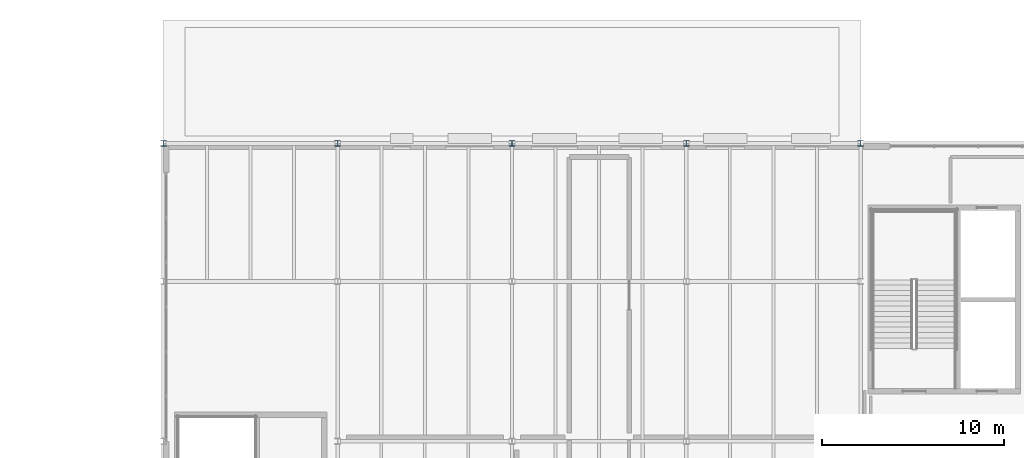
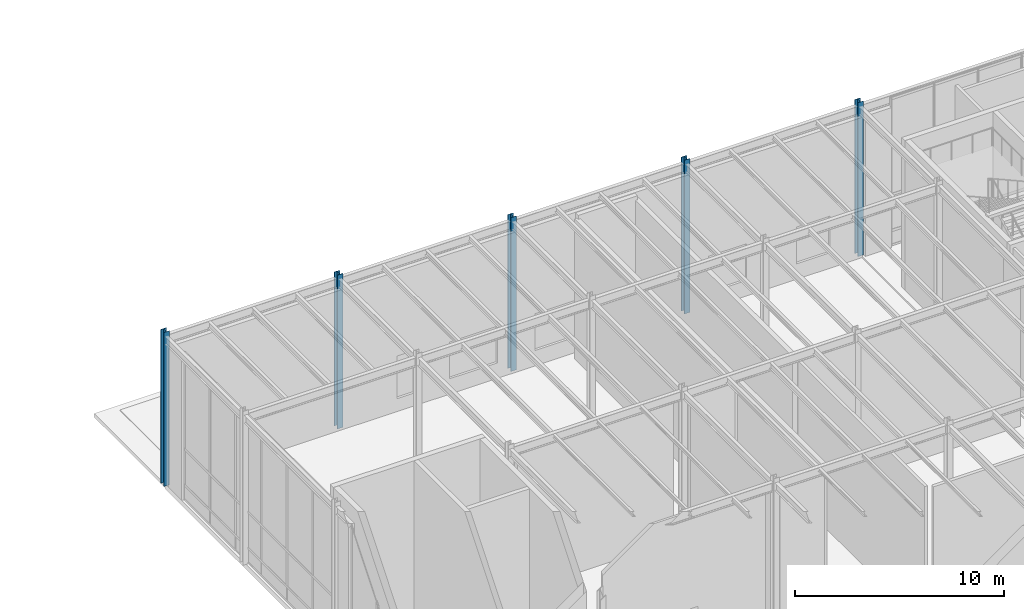
# One storey, part 6 of 48: 5 columns.
"""IFC4 building model written with IfcOpenShell, lengths in metres."""

from ifc_helpers import new_model, si_unit, direction, frame, origin, origin_2d, place, context, subcontext, project, spatial, i_section, extrude, material, material_profile, profile_set, type_object, element, save


model = new_model("IFC4")

# Units and contexts
model_context = context("Model", 3, precision=1e-05, world=origin(), true_north=direction((0.0, 1.0)))
body_context = subcontext(model_context, "Body", "Model", "MODEL_VIEW")
ifc_project = project(units=[si_unit("LENGTHUNIT", "METRE"), si_unit("AREAUNIT", "SQUARE_METRE"), si_unit("VOLUMEUNIT", "CUBIC_METRE"), si_unit("PLANEANGLEUNIT", "RADIAN"), si_unit("MASSUNIT", "GRAM", prefix="KILO")], contexts=[model_context])

# Site, building, storey
site_placement = place(None, origin())
site = spatial("IfcSite", under=ifc_project, at=site_placement, CompositionType="ELEMENT")
building_placement = place(site_placement, origin())
building = spatial("IfcBuilding", under=site, at=building_placement, Name="Sarnbrook Museum", CompositionType="ELEMENT")
storey_placement = place(building_placement, frame((0.0, 0.0, 19.10009765625)))
storey = spatial("IfcBuildingStorey", under=building, at=storey_placement, Name="L04", CompositionType="ELEMENT", Elevation=19.10009765625)

# Columns
ifc_material = material(Name="Structural Steel Grade 300PLUS (AS/NZS 3679.1, fy = 280 MPa for 17 < t <= 40 mm, 300 MPa for t <= 17 mm)", Category="steel")
ifc_material_profile = material_profile(ifc_material, i_section(OverallWidth=0.306884765625, OverallDepth=0.31494140625, WebThickness=0.011962890625, FlangeThickness=0.018798828125, FilletRadius=0.0166015625, at=origin_2d()), Name="310UC118")
ifc_profile_set = profile_set([ifc_material_profile], Name="Structural Steel Grade 300PLUS (AS/NZS 3679.1, fy = 280 MPa for 17 < t <= 40 mm, 300 MPa for t <= 17 mm)")
column_type = type_object("IfcColumnType", Name="COL-UC310", PredefinedType="COLUMN", material=ifc_profile_set)
for number, where, z_axis, x_axis, name in (
    (1, (42.39990234375, 108.39990234375, 0.0), (0.0, 0.0, 1.0), (1.0, 0.0, 0.0), "Column 5-N L04"),
    (2, (52.0, 108.39990234375, 0.0), (0.0, 0.0, 1.0), (1.0, 0.0, 0.0), "Column 6-N L04"),
    (3, (61.60009765625, 108.39990234375, 0.0), (0.0, 0.0, 1.0), (1.0, 0.0, 0.0), "Column 7-N L04"),
    (4, (71.199951171875, 108.39990234375, 0.0), (0.0, 0.0, 1.0), (1.0, 0.0, 0.0), "Column 8-N L04"),
    (5, (80.800048828125, 108.39990234375, 0.0), (0.0, 0.0, 1.0), (1.0, 0.0, 0.0), "Column 9-N L04"),
):
    element("IfcColumn", number, at=place(storey_placement, frame(where, z_axis=z_axis, x_axis=x_axis)), inside=storey, type_object=column_type, Name=name, PredefinedType="COLUMN", context=body_context, shape_type="SweptSolid", body=[
        extrude(i_section(OverallWidth=0.306884765625, OverallDepth=0.31494140625, WebThickness=0.011962890625, FlangeThickness=0.018798828125, FilletRadius=0.0166015625, at=origin_2d()), origin(), (0.0, 0.0, 1.0), 9.0),
    ])

save(model, "model.ifc")
